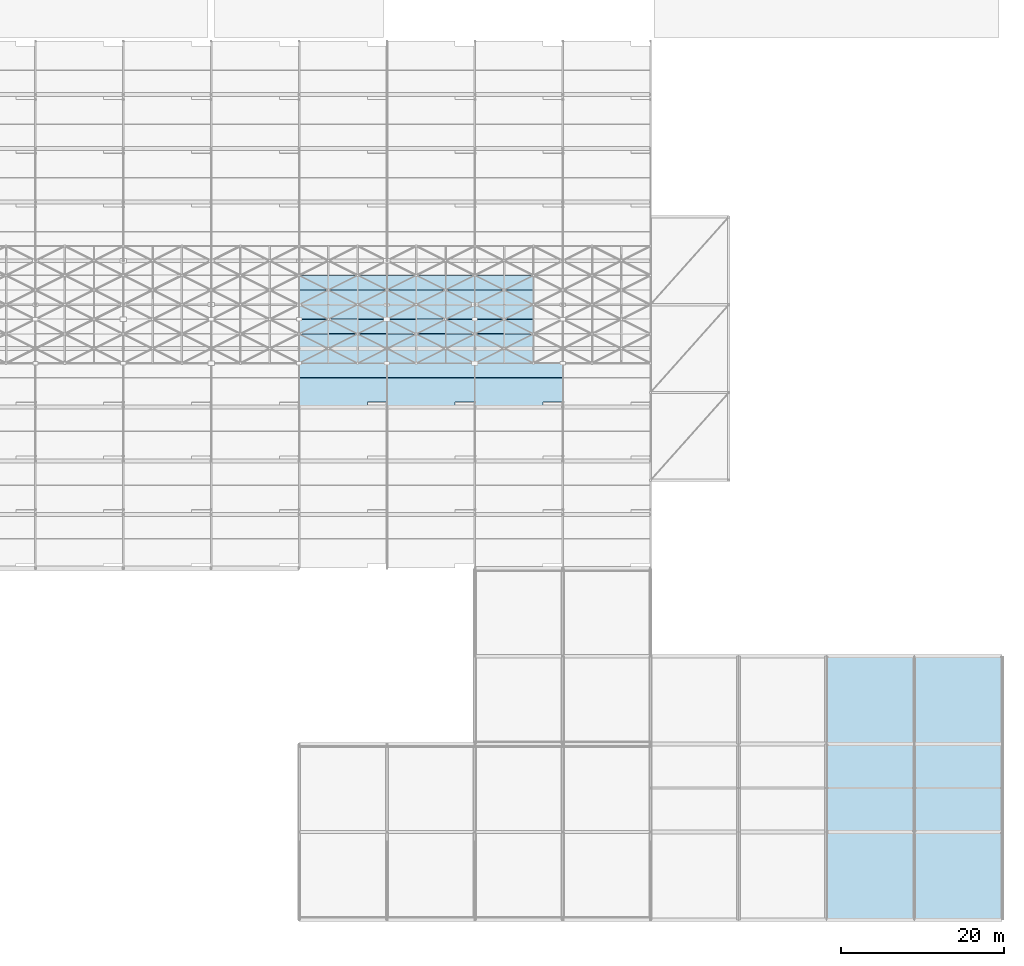
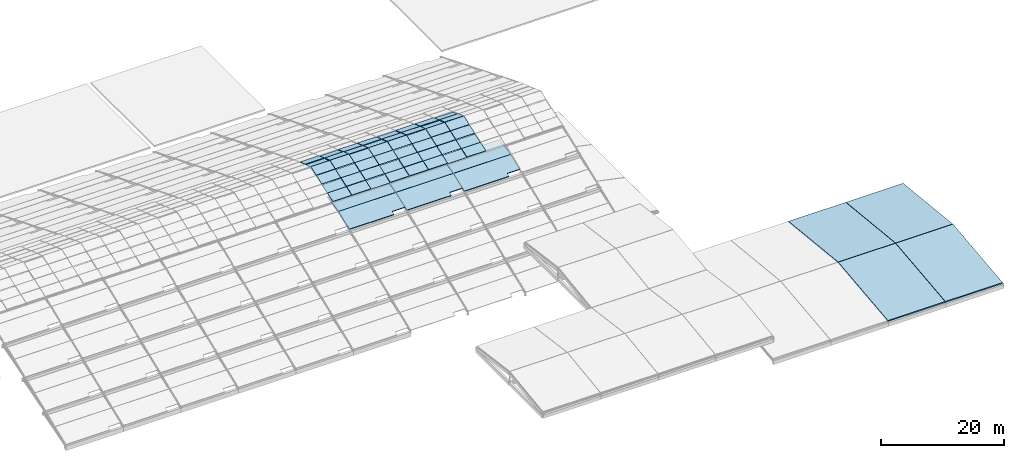
# One storey, part 102 of 112: 48 plates, 10 slabs, 3 elements without a shape of their own.
"""IFC4 building model written with IfcOpenShell, lengths in metres."""

from ifc_helpers import new_model, si_unit, direction, frame, origin, place, context, subcontext, project, spatial, polyline, outline, extrude, material, layer, layer_set, type_object, element, aggregate, save


model = new_model("IFC4")

# Units and contexts
model_context = context("Model", 3, precision=1e-05, world=origin(), true_north=direction((0.0, 1.0)))
body_context = subcontext(model_context, "Body", "Model", "MODEL_VIEW")
ifc_project = project(units=[si_unit("LENGTHUNIT", "METRE"), si_unit("AREAUNIT", "SQUARE_METRE"), si_unit("VOLUMEUNIT", "CUBIC_METRE"), si_unit("PLANEANGLEUNIT", "RADIAN"), si_unit("MASSUNIT", "GRAM", prefix="KILO")], contexts=[model_context])

# Site, building, storey
site_placement = place(None, origin())
site = spatial("IfcSite", under=ifc_project, at=site_placement, CompositionType="ELEMENT")
building_placement = place(site_placement, origin())
building = spatial("IfcBuilding", under=site, at=building_placement, Name="Zwinboog Wholesale Market", CompositionType="ELEMENT")
storey_placement = place(building_placement, frame((0.0, 0.0, 19.080078125)))
storey = spatial("IfcBuildingStorey", under=building, at=storey_placement, Name="Roof", CompositionType="ELEMENT", Elevation=19.080078125)

# Roof, slabs
ifc_material_1 = material(Name="Concrete C50/60", Category="concrete")
roof_type = type_object("IfcRoofType", Name="RFT-SHELL-BARREL", PredefinedType="BARREL_ROOF", material=ifc_material_1)
roof_1_placement = place(storey_placement, origin())
roof_1 = element("IfcRoof", 1, at=roof_1_placement, inside=storey, type_object=roof_type, Name="RF-SH (ROOF-BARREL-02)", PredefinedType="BARREL_ROOF")
ifc_layer_1 = layer(ifc_material_1, 0.201904296875)
ifc_layer_set_1 = layer_set([ifc_layer_1], Name="Concrete C50/60")
slab_type_1 = type_object("IfcSlabType", Name="SLT-SH-202", PredefinedType="ROOF", material=ifc_layer_set_1)
slab_1_placement = place(storey_placement, frame((129.610107421875, 63.010009765625, -1.380126953125), z_axis=(4.69326e-06, -0.351688567707, 0.936117060694), x_axis=(0.999999999989, 1.650566e-06, -4.393441e-06)))
slab_1 = element("IfcSlab", 2, at=slab_1_placement, type_object=slab_type_1, Name="SH-202 (SLB-SH-ST4-B07-1)", PredefinedType="ROOF", context=body_context, shape_type="SweptSolid", body=[
    extrude(outline(polyline([(0.0, 0.0), (8.37988281240771, 0.0), (8.379882812882595, 0.6410117878925938), (10.779785156606165, 0.6410117878925938), (10.779785156237002, 3.824383031661528), (1.0572380666834866e-10, 3.824383031661528), (0.0, 0.0)])), origin(), (0.0, 0.0, -1.0), 0.201904296875),
])
slab_2_placement = place(storey_placement, frame((129.610107421875, 66.610107421875, -0.03515625), z_axis=(0.0, -0.219437781128, 0.975626496265), x_axis=(1.0, 0.0, 0.0)))
slab_2 = element("IfcSlab", 3, at=slab_2_placement, type_object=slab_type_1, Name="SH-202 (SLB-SH-ST4-B07-2)", PredefinedType="ROOF", context=body_context, shape_type="SweptSolid", body=[
    extrude(outline(polyline([(0.0, 0.0), (10.77978515625, 0.0), (10.77978515625, 3.669266874240375), (0.0, 3.669266874240375), (0.0, 0.0)])), origin(), (0.0, 0.0, -1.0), 0.201904296875),
])
aggregate(roof_1, [slab_1, slab_2])

roof_2_placement = place(storey_placement, origin())
roof_2 = element("IfcRoof", 4, at=roof_2_placement, inside=storey, type_object=roof_type, Name="RF-SH (ROOF-BARREL-03)", PredefinedType="BARREL_ROOF")
slab_3_placement = place(storey_placement, frame((140.409912109375, 63.010009765625, -1.380126953125), z_axis=(4.69315e-06, -0.351688567577, 0.936117060743), x_axis=(0.999999999989, 1.650527e-06, -4.393337e-06)))
slab_3 = element("IfcSlab", 5, at=slab_3_placement, type_object=slab_type_1, Name="SH-202 (SLB-SH-ST4-B08-1)", PredefinedType="ROOF", context=body_context, shape_type="SweptSolid", body=[
    extrude(outline(polyline([(0.0, 0.0), (8.380126953032711, -1.774560907867667e-21), (8.380126953507585, 0.6410117878926078), (10.780029297231154, 0.6410117878926078), (10.780029296861999, 3.824383031661531), (1.0571883235301646e-10, 3.824383031661531), (0.0, 0.0)])), origin(), (0.0, 0.0, -1.0), 0.201904296875),
])
slab_4_placement = place(storey_placement, frame((140.409912109375, 66.610107421875, -0.03515625), z_axis=(0.0, -0.219437781128, 0.975626496265), x_axis=(1.0, 0.0, 0.0)))
slab_4 = element("IfcSlab", 6, at=slab_4_placement, type_object=slab_type_1, Name="SH-202 (SLB-SH-ST4-B08-2)", PredefinedType="ROOF", context=body_context, shape_type="SweptSolid", body=[
    extrude(outline(polyline([(0.0, 0.0), (10.780029296875, 0.0), (10.780029296875, 3.669266874240375), (0.0, 3.669266874240375), (0.0, 0.0)])), origin(), (0.0, 0.0, -1.0), 0.201904296875),
])
aggregate(roof_2, [slab_3, slab_4])

roof_3_placement = place(storey_placement, origin())
roof_3 = element("IfcRoof", 7, at=roof_3_placement, inside=storey, type_object=roof_type, Name="RF-SH (ROOF-BARREL-04)", PredefinedType="BARREL_ROOF")
slab_5_placement = place(storey_placement, frame((151.2099609375, 63.010009765625, -1.380126953125), z_axis=(4.69315e-06, -0.351688567577, 0.936117060743), x_axis=(0.999999999989, 1.650527e-06, -4.393337e-06)))
slab_5 = element("IfcSlab", 8, at=slab_5_placement, type_object=slab_type_1, Name="SH-202 (SLB-SH-ST4-B09-1)", PredefinedType="ROOF", context=body_context, shape_type="SweptSolid", body=[
    extrude(outline(polyline([(0.0, 0.0), (8.380126953032711, -1.774560907867667e-21), (8.380126953507585, 0.6410117878926078), (10.780029297231154, 0.6410117878926078), (10.780029296861999, 3.824383031661531), (1.0571883235301646e-10, 3.824383031661531), (0.0, 0.0)])), origin(), (0.0, 0.0, -1.0), 0.201904296875),
])
slab_6_placement = place(storey_placement, frame((151.2099609375, 66.610107421875, -0.03515625), z_axis=(0.0, -0.219437781128, 0.975626496265), x_axis=(1.0, 0.0, 0.0)))
slab_6 = element("IfcSlab", 9, at=slab_6_placement, type_object=slab_type_1, Name="SH-202 (SLB-SH-ST4-B09-2)", PredefinedType="ROOF", context=body_context, shape_type="SweptSolid", body=[
    extrude(outline(polyline([(0.0, 0.0), (10.780029296875, 0.0), (10.780029296875, 3.669266874240375), (0.0, 3.669266874240375), (0.0, 0.0)])), origin(), (0.0, 0.0, -1.0), 0.201904296875),
])
aggregate(roof_3, [slab_5, slab_6])

# Slabs
ifc_material_2 = material(Name="Precast concrete C45/55", Category="concrete")
ifc_layer_2 = layer(ifc_material_2, 0.243896484375)
ifc_layer_set_2 = layer_set([ifc_layer_2], Name="Precast concrete C45/55")
slab_type_2 = type_object("IfcSlabType", Name="SLT-RF-244", PredefinedType="ROOF", material=ifc_layer_set_2)
slab_7_placement = place(storey_placement, frame((194.419921875, 0.02001953125, -4.030029296875), z_axis=(0.0, -0.110705086611, 0.993853300945), x_axis=(1.0, 0.0, 0.0)))
element("IfcSlab", 10, at=slab_7_placement, inside=storey, type_object=slab_type_2, Name="SR-244 (SLB-AUC-RF-05)", PredefinedType="ROOF", context=body_context, shape_type="SweptSolid", body=[
    extrude(outline(polyline([(0.0, 0.0), (10.760009765625, 0.0), (10.760009765625, 16.259856554298352), (0.0, 16.259856554298352), (0.0, 0.0)])), origin(), (0.0, 0.0, -1.0), 0.243896484375),
])
slab_8_placement = place(storey_placement, frame((194.419921875, 16.219970703125, -2.22998046875), z_axis=(0.0, 0.104633164701, 0.994510885232), x_axis=(1.0, 0.0, 0.0)))
element("IfcSlab", 11, at=slab_8_placement, inside=storey, type_object=slab_type_2, Name="SR-244 (SLB-AUC-RF-06)", PredefinedType="ROOF", context=body_context, shape_type="SweptSolid", body=[
    extrude(outline(polyline([(0.0, 0.0), (10.760009765625, 0.0), (10.760009765625, 16.249105313320232), (0.0, 16.249105313320232), (0.0, 0.0)])), origin(), (0.0, 0.0, -1.0), 0.243896484375),
])
slab_9_placement = place(storey_placement, frame((205.219970703125, 0.02001953125, -4.030029296875), z_axis=(0.0, -0.110705086611, 0.993853300945), x_axis=(1.0, 0.0, 0.0)))
element("IfcSlab", 12, at=slab_9_placement, inside=storey, type_object=slab_type_2, Name="SR-244 (SLB-AUC-RF-07)", PredefinedType="ROOF", context=body_context, shape_type="SweptSolid", body=[
    extrude(outline(polyline([(0.0, 0.0), (10.760009765625, 0.0), (10.760009765625, 16.259856554298352), (0.0, 16.259856554298352), (0.0, 0.0)])), origin(), (0.0, 0.0, -1.0), 0.243896484375),
])
slab_10_placement = place(storey_placement, frame((205.219970703125, 16.219970703125, -2.22998046875), z_axis=(0.0, 0.104633164701, 0.994510885232), x_axis=(1.0, 0.0, 0.0)))
element("IfcSlab", 13, at=slab_10_placement, inside=storey, type_object=slab_type_2, Name="SR-244 (SLB-AUC-RF-08)", PredefinedType="ROOF", context=body_context, shape_type="SweptSolid", body=[
    extrude(outline(polyline([(0.0, 0.0), (10.760009765625, 0.0), (10.760009765625, 16.249105313320232), (0.0, 16.249105313320232), (0.0, 0.0)])), origin(), (0.0, 0.0, -1.0), 0.243896484375),
])

# Plates
ifc_material_3 = material(Name="Blue solar control glass", Category="glass")
ifc_layer_3 = layer(ifc_material_3, 0.030029296875)
ifc_layer_set_3 = layer_set([ifc_layer_3], Name="Blue solar control glass")
plate_type_1 = type_object("IfcPlateType", Name="PLT-SKG-01", PredefinedType="SHEET", material=ifc_layer_set_3)
for number, where, z_axis, x_axis, name in (
    (14, (133.219970703125, 77.419921875, 2.6552734375), (0.0, 0.333825357548, 0.942634940291), (1.0, 0.0, 0.0), "SKG-01 (PLT-SKY-0186)"),
    (15, (144.02001953125, 72.02001953125, 2.031982421875), (0.0, -0.333825357548, 0.942634940291), (1.0, 0.0, 0.0), "SKG-01 (PLT-SKY-0211)"),
    (16, (151.219970703125, 68.419921875, 0.757080078125), (0.0, -0.333825357548, 0.942634940291), (1.0, 0.0, 0.0), "SKG-01 (PLT-SKY-0226)"),
):
    element("IfcPlate", number, at=place(storey_placement, frame(where, z_axis=z_axis, x_axis=x_axis)), inside=storey, type_object=plate_type_1, Name=name, PredefinedType="SHEET", context=body_context, shape_type="SweptSolid", body=[
        extrude(outline(polyline([(0.0, 0.0), (3.56005859375, 0.0), (3.56005859375, 1.8671170464794682), (0.0, 1.8671170464794682), (0.0, 0.0)])), origin(), (0.0, 0.0, -1.0), 0.030029296875),
    ])
plate_1_placement = place(storey_placement, frame((154.820068359375, 77.419921875, 2.6552734375), z_axis=(0.0, 0.333825357548, 0.942634940291), x_axis=(1.0, 0.0, 0.0)))
element("IfcPlate", 17, at=plate_1_placement, inside=storey, type_object=plate_type_1, Name="SKG-01 (PLT-SKY-0242)", PredefinedType="SHEET", context=body_context, shape_type="SweptSolid", body=[
    extrude(outline(polyline([(0.0, 0.0), (3.559814453125, 0.0), (3.559814453125, 1.8671170464794682), (0.0, 1.8671170464794682), (0.0, 0.0)])), origin(), (0.0, 0.0, -1.0), 0.030029296875),
])
ifc_layer_4 = layer(ifc_material_3, 0.033935546875)
ifc_layer_set_4 = layer_set([ifc_layer_4], Name="Blue solar control glass")
plate_type_2 = type_object("IfcPlateType", Name="PLT-SKG-02", PredefinedType="SHEET", material=ifc_layer_set_4)
plate_2_placement = place(storey_placement, frame((129.6201171875, 70.219970703125, 1.3984375), z_axis=(0.0, -0.333825357548, 0.942634940291), x_axis=(1.0, 0.0, 0.0)))
element("IfcPlate", 18, at=plate_2_placement, inside=storey, type_object=plate_type_2, Name="SKG-02 (PLT-SKY-0171)", PredefinedType="SHEET", context=body_context, shape_type="SweptSolid", body=[
    extrude(outline(polyline([(0.0, 0.0), (3.559814453125, 0.0), (3.559814453125, 1.8671170464794682), (0.0, 1.8671170464794682), (0.0, 0.0)])), origin(), (0.0, 0.0, -1.0), 0.033935546875),
])
plate_3_placement = place(storey_placement, frame((140.419921875, 75.6201171875, 3.296875), z_axis=(0.0, 0.333866508657, 0.942620366), x_axis=(1.0, 0.0, 0.0)))
element("IfcPlate", 19, at=plate_3_placement, inside=storey, type_object=plate_type_2, Name="SKG-02 (PLT-SKY-0204)", PredefinedType="SHEET", context=body_context, shape_type="SweptSolid", body=[
    extrude(outline(polyline([(0.0, 0.0), (3.56005859375, 0.0), (3.56005859375, 1.866886912774977), (0.0, 1.866886912774977), (0.0, 0.0)])), origin(), (0.0, 0.0, -1.0), 0.033935546875),
])
ifc_layer_5 = layer(ifc_material_3, 0.0380859375)
ifc_layer_set_5 = layer_set([ifc_layer_5], Name="Blue solar control glass")
plate_type_3 = type_object("IfcPlateType", Name="PLT-SKG-03", PredefinedType="SHEET", material=ifc_layer_set_5)
for number, where, z_axis, x_axis, name in (
    (20, (136.820068359375, 68.419921875, 0.76513671875), (0.0, -0.333825357548, 0.942634940291), (1.0, 0.0, 0.0), "SKG-03 (PLT-SKY-0189)"),
    (21, (147.6201171875, 73.820068359375, 2.677490234375), (0.0, -0.333825357548, 0.942634940291), (1.0, 0.0, 0.0), "SKG-03 (PLT-SKY-0220)"),
    (22, (154.820068359375, 70.219970703125, 1.402587890625), (0.0, -0.333825357548, 0.942634940291), (1.0, 0.0, 0.0), "SKG-03 (PLT-SKY-0238)"),
):
    element("IfcPlate", number, at=place(storey_placement, frame(where, z_axis=z_axis, x_axis=x_axis)), inside=storey, type_object=plate_type_3, Name=name, PredefinedType="SHEET", context=body_context, shape_type="SweptSolid", body=[
        extrude(outline(polyline([(0.0, 0.0), (3.559814453125, 0.0), (3.559814453125, 1.8671170464794682), (0.0, 1.8671170464794682), (0.0, 0.0)])), origin(), (0.0, 0.0, -1.0), 0.0380859375),
    ])
ifc_layer_6 = layer(ifc_material_3, 0.0419921875)
ifc_layer_set_6 = layer_set([ifc_layer_6], Name="Blue solar control glass")
plate_type_4 = type_object("IfcPlateType", Name="PLT-SKG-04", PredefinedType="SHEET", material=ifc_layer_set_6)
for number, where, z_axis, x_axis, name in (
    (23, (133.219970703125, 72.02001953125, 2.0439453125), (0.0, -0.333825357548, 0.942634940291), (1.0, 0.0, 0.0), "SKG-04 (PLT-SKY-0183)"),
    (24, (144.02001953125, 77.419921875, 2.667236328125), (0.0, 0.333825357548, 0.942634940291), (1.0, 0.0, 0.0), "SKG-04 (PLT-SKY-0214)"),
):
    element("IfcPlate", number, at=place(storey_placement, frame(where, z_axis=z_axis, x_axis=x_axis)), inside=storey, type_object=plate_type_4, Name=name, PredefinedType="SHEET", context=body_context, shape_type="SweptSolid", body=[
        extrude(outline(polyline([(0.0, 0.0), (3.56005859375, 0.0), (3.56005859375, 1.8671170464794682), (0.0, 1.8671170464794682), (0.0, 0.0)])), origin(), (0.0, 0.0, -1.0), 0.0419921875),
    ])
ifc_layer_7 = layer(ifc_material_3, 0.0458984375)
ifc_layer_set_7 = layer_set([ifc_layer_7], Name="Blue solar control glass")
plate_type_5 = type_object("IfcPlateType", Name="PLT-SKG-05", PredefinedType="SHEET", material=ifc_layer_set_7)
plate_4_placement = place(storey_placement, frame((129.6201171875, 75.6201171875, 3.308837890625), z_axis=(0.0, 0.333866508657, 0.942620366), x_axis=(1.0, 0.0, 0.0)))
element("IfcPlate", 25, at=plate_4_placement, inside=storey, type_object=plate_type_5, Name="SKG-05 (PLT-SKY-0176)", PredefinedType="SHEET", context=body_context, shape_type="SweptSolid", body=[
    extrude(outline(polyline([(0.0, 0.0), (3.559814453125, 0.0), (3.559814453125, 1.866886912774977), (0.0, 1.866886912774977), (0.0, 0.0)])), origin(), (0.0, 0.0, -1.0), 0.0458984375),
])
plate_5_placement = place(storey_placement, frame((140.419921875, 70.219970703125, 1.410400390625), z_axis=(0.0, -0.333941536415, 0.942593788573), x_axis=(1.0, 0.0, 0.0)))
element("IfcPlate", 26, at=plate_5_placement, inside=storey, type_object=plate_type_5, Name="SKG-05 (PLT-SKY-0199)", PredefinedType="SHEET", context=body_context, shape_type="SweptSolid", body=[
    extrude(outline(polyline([(0.0, 0.0), (3.56005859375, 0.0), (3.56005859375, 1.8671985609932005), (0.0, 1.8671985609932005), (0.0, 0.0)])), origin(), (0.0, 0.0, -1.0), 0.0458984375),
])
plate_6_placement = place(storey_placement, frame((151.219970703125, 75.6201171875, 3.308837890625), z_axis=(0.0, 0.333866508657, 0.942620366), x_axis=(1.0, 0.0, 0.0)))
element("IfcPlate", 27, at=plate_6_placement, inside=storey, type_object=plate_type_5, Name="SKG-05 (PLT-SKY-0232)", PredefinedType="SHEET", context=body_context, shape_type="SweptSolid", body=[
    extrude(outline(polyline([(0.0, 0.0), (3.56005859375, 0.0), (3.56005859375, 1.866886912774977), (0.0, 1.866886912774977), (0.0, 0.0)])), origin(), (0.0, 0.0, -1.0), 0.0458984375),
])
ifc_layer_8 = layer(ifc_material_3, 0.050048828125)
ifc_layer_set_8 = layer_set([ifc_layer_8], Name="Blue solar control glass")
plate_type_6 = type_object("IfcPlateType", Name="PLT-SKG-06", PredefinedType="SHEET", material=ifc_layer_set_8)
plate_7_placement = place(storey_placement, frame((136.820068359375, 73.820068359375, 2.689453125), z_axis=(0.0, -0.333825357548, 0.942634940291), x_axis=(1.0, 0.0, 0.0)))
element("IfcPlate", 28, at=plate_7_placement, inside=storey, type_object=plate_type_6, Name="SKG-06 (PLT-SKY-0192)", PredefinedType="SHEET", context=body_context, shape_type="SweptSolid", body=[
    extrude(outline(polyline([(0.0, 0.0), (3.559814453125, 0.0), (3.559814453125, 1.8671170464794682), (0.0, 1.8671170464794682), (0.0, 0.0)])), origin(), (0.0, 0.0, -1.0), 0.050048828125),
])
ifc_material_4 = material(Name="White insulated aluminium roof panel", Category="aluminium")
ifc_layer_9 = layer(ifc_material_4, 0.110107421875)
ifc_layer_set_9 = layer_set([ifc_layer_9], Name="White insulated aluminium roof panel")
plate_type_7 = type_object("IfcPlateType", Name="PLT-SKW-01", PredefinedType="USERDEFINED", material=ifc_layer_set_9)
plate_8_placement = place(storey_placement, frame((129.6201171875, 68.419921875, 0.8369140625), z_axis=(0.0, -0.333825357548, 0.942634940291), x_axis=(1.0, 0.0, 0.0)))
element("IfcPlate", 29, at=plate_8_placement, inside=storey, type_object=plate_type_7, Name="SKW-01 (PLT-SKY-0170)", ObjectType="INSULATED_ROOF_PANEL", PredefinedType="USERDEFINED", context=body_context, shape_type="SweptSolid", body=[
    extrude(outline(polyline([(0.0, 0.0), (3.559814453125, 0.0), (3.559814453125, 1.8671170464794682), (0.0, 1.8671170464794682), (0.0, 0.0)])), origin(), (0.0, 0.0, -1.0), 0.110107421875),
])
plate_9_placement = place(storey_placement, frame((136.820068359375, 75.6201171875, 3.372802734375), z_axis=(0.0, 0.333866508657, 0.942620366), x_axis=(1.0, 0.0, 0.0)))
element("IfcPlate", 30, at=plate_9_placement, inside=storey, type_object=plate_type_7, Name="SKW-01 (PLT-SKY-0193)", ObjectType="INSULATED_ROOF_PANEL", PredefinedType="USERDEFINED", context=body_context, shape_type="SweptSolid", body=[
    extrude(outline(polyline([(0.0, 0.0), (3.559814453125, 0.0), (3.559814453125, 1.866886912774977), (0.0, 1.866886912774977), (0.0, 0.0)])), origin(), (0.0, 0.0, -1.0), 0.110107421875),
])
plate_10_placement = place(storey_placement, frame((140.419921875, 73.820068359375, 2.74951171875), z_axis=(0.0, -0.333825357548, 0.942634940291), x_axis=(1.0, 0.0, 0.0)))
element("IfcPlate", 31, at=plate_10_placement, inside=storey, type_object=plate_type_7, Name="SKW-01 (PLT-SKY-0202)", ObjectType="INSULATED_ROOF_PANEL", PredefinedType="USERDEFINED", context=body_context, shape_type="SweptSolid", body=[
    extrude(outline(polyline([(0.0, 0.0), (3.56005859375, 0.0), (3.56005859375, 1.8671170464794682), (0.0, 1.8671170464794682), (0.0, 0.0)])), origin(), (0.0, 0.0, -1.0), 0.110107421875),
])
plate_11_placement = place(storey_placement, frame((147.6201171875, 70.219970703125, 1.474609375), z_axis=(0.0, -0.333825357548, 0.942634940291), x_axis=(1.0, 0.0, 0.0)))
element("IfcPlate", 32, at=plate_11_placement, inside=storey, type_object=plate_type_7, Name="SKW-01 (PLT-SKY-0218)", ObjectType="INSULATED_ROOF_PANEL", PredefinedType="USERDEFINED", context=body_context, shape_type="SweptSolid", body=[
    extrude(outline(polyline([(0.0, 0.0), (3.559814453125, 0.0), (3.559814453125, 1.8671170464794682), (0.0, 1.8671170464794682), (0.0, 0.0)])), origin(), (0.0, 0.0, -1.0), 0.110107421875),
])
ifc_layer_10 = layer(ifc_material_4, 0.1201171875)
ifc_layer_set_10 = layer_set([ifc_layer_10], Name="White insulated aluminium roof panel")
plate_type_8 = type_object("IfcPlateType", Name="PLT-SKW-02", PredefinedType="USERDEFINED", material=ifc_layer_set_10)
plate_12_placement = place(storey_placement, frame((133.219970703125, 68.419921875, 0.846923828125), z_axis=(0.0, -0.333825357548, 0.942634940291), x_axis=(1.0, 0.0, 0.0)))
element("IfcPlate", 33, at=plate_12_placement, inside=storey, type_object=plate_type_8, Name="SKW-02 (PLT-SKY-0181)", ObjectType="INSULATED_ROOF_PANEL", PredefinedType="USERDEFINED", context=body_context, shape_type="SweptSolid", body=[
    extrude(outline(polyline([(0.0, 0.0), (3.56005859375, 0.0), (3.56005859375, 1.8671170464794682), (0.0, 1.8671170464794682), (0.0, 0.0)])), origin(), (0.0, 0.0, -1.0), 0.1201171875),
])
plate_13_placement = place(storey_placement, frame((136.820068359375, 77.419921875, 2.745361328125), z_axis=(0.0, 0.333825357548, 0.942634940291), x_axis=(1.0, 0.0, 0.0)))
element("IfcPlate", 34, at=plate_13_placement, inside=storey, type_object=plate_type_8, Name="SKW-02 (PLT-SKY-0194)", ObjectType="INSULATED_ROOF_PANEL", PredefinedType="USERDEFINED", context=body_context, shape_type="SweptSolid", body=[
    extrude(outline(polyline([(0.0, 0.0), (3.559814453125, 0.0), (3.559814453125, 1.8671170464794682), (0.0, 1.8671170464794682), (0.0, 0.0)])), origin(), (0.0, 0.0, -1.0), 0.1201171875),
])
plate_14_placement = place(storey_placement, frame((144.02001953125, 73.820068359375, 2.759521484375), z_axis=(0.0, -0.333825357548, 0.942634940291), x_axis=(1.0, 0.0, 0.0)))
element("IfcPlate", 35, at=plate_14_placement, inside=storey, type_object=plate_type_8, Name="SKW-02 (PLT-SKY-0212)", ObjectType="INSULATED_ROOF_PANEL", PredefinedType="USERDEFINED", context=body_context, shape_type="SweptSolid", body=[
    extrude(outline(polyline([(0.0, 0.0), (3.56005859375, 0.0), (3.56005859375, 1.8671170464794682), (0.0, 1.8671170464794682), (0.0, 0.0)])), origin(), (0.0, 0.0, -1.0), 0.1201171875),
])
plate_15_placement = place(storey_placement, frame((147.6201171875, 72.02001953125, 2.1220703125), z_axis=(0.0, -0.333825357548, 0.942634940291), x_axis=(1.0, 0.0, 0.0)))
element("IfcPlate", 36, at=plate_15_placement, inside=storey, type_object=plate_type_8, Name="SKW-02 (PLT-SKY-0219)", ObjectType="INSULATED_ROOF_PANEL", PredefinedType="USERDEFINED", context=body_context, shape_type="SweptSolid", body=[
    extrude(outline(polyline([(0.0, 0.0), (3.559814453125, 0.0), (3.559814453125, 1.8671170464794682), (0.0, 1.8671170464794682), (0.0, 0.0)])), origin(), (0.0, 0.0, -1.0), 0.1201171875),
])
plate_16_placement = place(storey_placement, frame((151.219970703125, 70.219970703125, 1.484619140625), z_axis=(0.0, -0.333825357548, 0.942634940291), x_axis=(1.0, 0.0, 0.0)))
element("IfcPlate", 37, at=plate_16_placement, inside=storey, type_object=plate_type_8, Name="SKW-02 (PLT-SKY-0227)", ObjectType="INSULATED_ROOF_PANEL", PredefinedType="USERDEFINED", context=body_context, shape_type="SweptSolid", body=[
    extrude(outline(polyline([(0.0, 0.0), (3.56005859375, 0.0), (3.56005859375, 1.8671170464794682), (0.0, 1.8671170464794682), (0.0, 0.0)])), origin(), (0.0, 0.0, -1.0), 0.1201171875),
])
plate_17_placement = place(storey_placement, frame((154.820068359375, 68.419921875, 0.846923828125), z_axis=(0.0, -0.333825357548, 0.942634940291), x_axis=(1.0, 0.0, 0.0)))
element("IfcPlate", 38, at=plate_17_placement, inside=storey, type_object=plate_type_8, Name="SKW-02 (PLT-SKY-0237)", ObjectType="INSULATED_ROOF_PANEL", PredefinedType="USERDEFINED", context=body_context, shape_type="SweptSolid", body=[
    extrude(outline(polyline([(0.0, 0.0), (3.559814453125, 0.0), (3.559814453125, 1.8671170464794682), (0.0, 1.8671170464794682), (0.0, 0.0)])), origin(), (0.0, 0.0, -1.0), 0.1201171875),
])
ifc_layer_11 = layer(ifc_material_4, 0.1298828125)
ifc_layer_set_11 = layer_set([ifc_layer_11], Name="White insulated aluminium roof panel")
plate_type_9 = type_object("IfcPlateType", Name="PLT-SKW-03", PredefinedType="USERDEFINED", material=ifc_layer_set_11)
plate_18_placement = place(storey_placement, frame((129.6201171875, 72.02001953125, 2.132080078125), z_axis=(0.0, -0.333825357548, 0.942634940291), x_axis=(1.0, 0.0, 0.0)))
element("IfcPlate", 39, at=plate_18_placement, inside=storey, type_object=plate_type_9, Name="SKW-03 (PLT-SKY-0172)", ObjectType="INSULATED_ROOF_PANEL", PredefinedType="USERDEFINED", context=body_context, shape_type="SweptSolid", body=[
    extrude(outline(polyline([(0.0, 0.0), (3.559814453125, 0.0), (3.559814453125, 1.8671170464794682), (0.0, 1.8671170464794682), (0.0, 0.0)])), origin(), (0.0, 0.0, -1.0), 0.1298828125),
])
for number, where, z_axis, x_axis, name in (
    (40, (133.219970703125, 70.219970703125, 1.49462890625), (0.0, -0.333825357548, 0.942634940291), (1.0, 0.0, 0.0), "SKW-03 (PLT-SKY-0182)"),
    (41, (140.419921875, 77.419921875, 2.75537109375), (0.0, 0.333825357548, 0.942634940291), (1.0, 0.0, 0.0), "SKW-03 (PLT-SKY-0205)"),
):
    element("IfcPlate", number, at=place(storey_placement, frame(where, z_axis=z_axis, x_axis=x_axis)), inside=storey, type_object=plate_type_9, Name=name, ObjectType="INSULATED_ROOF_PANEL", PredefinedType="USERDEFINED", context=body_context, shape_type="SweptSolid", body=[
        extrude(outline(polyline([(0.0, 0.0), (3.56005859375, 0.0), (3.56005859375, 1.8671170464794682), (0.0, 1.8671170464794682), (0.0, 0.0)])), origin(), (0.0, 0.0, -1.0), 0.1298828125),
    ])
plate_19_placement = place(storey_placement, frame((144.02001953125, 75.6201171875, 3.392822265625), z_axis=(0.0, 0.333866508657, 0.942620366), x_axis=(1.0, 0.0, 0.0)))
element("IfcPlate", 42, at=plate_19_placement, inside=storey, type_object=plate_type_9, Name="SKW-03 (PLT-SKY-0213)", ObjectType="INSULATED_ROOF_PANEL", PredefinedType="USERDEFINED", context=body_context, shape_type="SweptSolid", body=[
    extrude(outline(polyline([(0.0, 0.0), (3.56005859375, 0.0), (3.56005859375, 1.866886912774977), (0.0, 1.866886912774977), (0.0, 0.0)])), origin(), (0.0, 0.0, -1.0), 0.1298828125),
])
plate_20_placement = place(storey_placement, frame((151.219970703125, 72.02001953125, 2.132080078125), z_axis=(0.0, -0.333825357548, 0.942634940291), x_axis=(1.0, 0.0, 0.0)))
element("IfcPlate", 43, at=plate_20_placement, inside=storey, type_object=plate_type_9, Name="SKW-03 (PLT-SKY-0228)", ObjectType="INSULATED_ROOF_PANEL", PredefinedType="USERDEFINED", context=body_context, shape_type="SweptSolid", body=[
    extrude(outline(polyline([(0.0, 0.0), (3.56005859375, 0.0), (3.56005859375, 1.8671170464794682), (0.0, 1.8671170464794682), (0.0, 0.0)])), origin(), (0.0, 0.0, -1.0), 0.1298828125),
])
ifc_layer_12 = layer(ifc_material_4, 0.139892578125)
ifc_layer_set_12 = layer_set([ifc_layer_12], Name="White insulated aluminium roof panel")
plate_type_10 = type_object("IfcPlateType", Name="PLT-SKW-04", PredefinedType="USERDEFINED", material=ifc_layer_set_12)
for number, where, z_axis, x_axis, name in (
    (44, (129.6201171875, 73.820068359375, 2.779541015625), (0.0, -0.333825357548, 0.942634940291), (1.0, 0.0, 0.0), "SKW-04 (PLT-SKY-0174)"),
    (45, (136.820068359375, 70.219970703125, 1.504638671875), (0.0, -0.333825357548, 0.942634940291), (1.0, 0.0, 0.0), "SKW-04 (PLT-SKY-0190)"),
):
    element("IfcPlate", number, at=place(storey_placement, frame(where, z_axis=z_axis, x_axis=x_axis)), inside=storey, type_object=plate_type_10, Name=name, ObjectType="INSULATED_ROOF_PANEL", PredefinedType="USERDEFINED", context=body_context, shape_type="SweptSolid", body=[
        extrude(outline(polyline([(0.0, 0.0), (3.559814453125, 0.0), (3.559814453125, 1.8671170464794682), (0.0, 1.8671170464794682), (0.0, 0.0)])), origin(), (0.0, 0.0, -1.0), 0.139892578125),
    ])
plate_21_placement = place(storey_placement, frame((140.419921875, 68.419921875, 0.866943359375), z_axis=(0.0, -0.333825357548, 0.942634940291), x_axis=(1.0, 0.0, 0.0)))
element("IfcPlate", 46, at=plate_21_placement, inside=storey, type_object=plate_type_10, Name="SKW-04 (PLT-SKY-0198)", ObjectType="INSULATED_ROOF_PANEL", PredefinedType="USERDEFINED", context=body_context, shape_type="SweptSolid", body=[
    extrude(outline(polyline([(0.0, 0.0), (3.56005859375, 0.0), (3.56005859375, 1.8671170464794682), (0.0, 1.8671170464794682), (0.0, 0.0)])), origin(), (0.0, 0.0, -1.0), 0.139892578125),
])
plate_22_placement = place(storey_placement, frame((147.6201171875, 75.6201171875, 3.40283203125), z_axis=(0.0, 0.333866508657, 0.942620366), x_axis=(1.0, 0.0, 0.0)))
element("IfcPlate", 47, at=plate_22_placement, inside=storey, type_object=plate_type_10, Name="SKW-04 (PLT-SKY-0221)", ObjectType="INSULATED_ROOF_PANEL", PredefinedType="USERDEFINED", context=body_context, shape_type="SweptSolid", body=[
    extrude(outline(polyline([(0.0, 0.0), (3.559814453125, 0.0), (3.559814453125, 1.866886912774977), (0.0, 1.866886912774977), (0.0, 0.0)])), origin(), (0.0, 0.0, -1.0), 0.139892578125),
])
plate_23_placement = place(storey_placement, frame((151.219970703125, 73.820068359375, 2.779541015625), z_axis=(0.0, -0.333825357548, 0.942634940291), x_axis=(1.0, 0.0, 0.0)))
element("IfcPlate", 48, at=plate_23_placement, inside=storey, type_object=plate_type_10, Name="SKW-04 (PLT-SKY-0230)", ObjectType="INSULATED_ROOF_PANEL", PredefinedType="USERDEFINED", context=body_context, shape_type="SweptSolid", body=[
    extrude(outline(polyline([(0.0, 0.0), (3.56005859375, 0.0), (3.56005859375, 1.8671170464794682), (0.0, 1.8671170464794682), (0.0, 0.0)])), origin(), (0.0, 0.0, -1.0), 0.139892578125),
])
plate_24_placement = place(storey_placement, frame((154.820068359375, 72.02001953125, 2.14208984375), z_axis=(0.0, -0.333825357548, 0.942634940291), x_axis=(1.0, 0.0, 0.0)))
element("IfcPlate", 49, at=plate_24_placement, inside=storey, type_object=plate_type_10, Name="SKW-04 (PLT-SKY-0239)", ObjectType="INSULATED_ROOF_PANEL", PredefinedType="USERDEFINED", context=body_context, shape_type="SweptSolid", body=[
    extrude(outline(polyline([(0.0, 0.0), (3.559814453125, 0.0), (3.559814453125, 1.8671170464794682), (0.0, 1.8671170464794682), (0.0, 0.0)])), origin(), (0.0, 0.0, -1.0), 0.139892578125),
])
ifc_layer_13 = layer(ifc_material_4, 0.14990234375)
ifc_layer_set_13 = layer_set([ifc_layer_13], Name="White insulated aluminium roof panel")
plate_type_11 = type_object("IfcPlateType", Name="PLT-SKW-05", PredefinedType="USERDEFINED", material=ifc_layer_set_13)
plate_25_placement = place(storey_placement, frame((133.219970703125, 73.820068359375, 2.78955078125), z_axis=(0.0, -0.333825357548, 0.942634940291), x_axis=(1.0, 0.0, 0.0)))
element("IfcPlate", 50, at=plate_25_placement, inside=storey, type_object=plate_type_11, Name="SKW-05 (PLT-SKY-0184)", ObjectType="INSULATED_ROOF_PANEL", PredefinedType="USERDEFINED", context=body_context, shape_type="SweptSolid", body=[
    extrude(outline(polyline([(0.0, 0.0), (3.56005859375, 0.0), (3.56005859375, 1.8671170464794682), (0.0, 1.8671170464794682), (0.0, 0.0)])), origin(), (0.0, 0.0, -1.0), 0.14990234375),
])
plate_26_placement = place(storey_placement, frame((136.820068359375, 72.02001953125, 2.152099609375), z_axis=(0.0, -0.333825357548, 0.942634940291), x_axis=(1.0, 0.0, 0.0)))
element("IfcPlate", 51, at=plate_26_placement, inside=storey, type_object=plate_type_11, Name="SKW-05 (PLT-SKY-0191)", ObjectType="INSULATED_ROOF_PANEL", PredefinedType="USERDEFINED", context=body_context, shape_type="SweptSolid", body=[
    extrude(outline(polyline([(0.0, 0.0), (3.559814453125, 0.0), (3.559814453125, 1.8671170464794682), (0.0, 1.8671170464794682), (0.0, 0.0)])), origin(), (0.0, 0.0, -1.0), 0.14990234375),
])
plate_27_placement = place(storey_placement, frame((144.02001953125, 68.419921875, 0.876953125), z_axis=(0.0, -0.333825357548, 0.942634940291), x_axis=(1.0, 0.0, 0.0)))
element("IfcPlate", 52, at=plate_27_placement, inside=storey, type_object=plate_type_11, Name="SKW-05 (PLT-SKY-0209)", ObjectType="INSULATED_ROOF_PANEL", PredefinedType="USERDEFINED", context=body_context, shape_type="SweptSolid", body=[
    extrude(outline(polyline([(0.0, 0.0), (3.56005859375, 0.0), (3.56005859375, 1.8671170464794682), (0.0, 1.8671170464794682), (0.0, 0.0)])), origin(), (0.0, 0.0, -1.0), 0.14990234375),
])
for number, where, z_axis, x_axis, name in (
    (53, (147.6201171875, 77.419921875, 2.775390625), (0.0, 0.333825357548, 0.942634940291), (1.0, 0.0, 0.0), "SKW-05 (PLT-SKY-0222)"),
    (54, (154.820068359375, 73.820068359375, 2.78955078125), (0.0, -0.333825357548, 0.942634940291), (1.0, 0.0, 0.0), "SKW-05 (PLT-SKY-0240)"),
):
    element("IfcPlate", number, at=place(storey_placement, frame(where, z_axis=z_axis, x_axis=x_axis)), inside=storey, type_object=plate_type_11, Name=name, ObjectType="INSULATED_ROOF_PANEL", PredefinedType="USERDEFINED", context=body_context, shape_type="SweptSolid", body=[
        extrude(outline(polyline([(0.0, 0.0), (3.559814453125, 0.0), (3.559814453125, 1.8671170464794682), (0.0, 1.8671170464794682), (0.0, 0.0)])), origin(), (0.0, 0.0, -1.0), 0.14990234375),
    ])
ifc_layer_14 = layer(ifc_material_4, 0.162109375)
ifc_layer_set_14 = layer_set([ifc_layer_14], Name="White insulated aluminium roof panel")
plate_type_12 = type_object("IfcPlateType", Name="PLT-SKW-06", PredefinedType="USERDEFINED", material=ifc_layer_set_14)
plate_28_placement = place(storey_placement, frame((129.6201171875, 77.419921875, 2.787353515625), z_axis=(0.0, 0.333825357548, 0.942634940291), x_axis=(1.0, 0.0, 0.0)))
element("IfcPlate", 55, at=plate_28_placement, inside=storey, type_object=plate_type_12, Name="SKW-06 (PLT-SKY-0177)", ObjectType="INSULATED_ROOF_PANEL", PredefinedType="USERDEFINED", context=body_context, shape_type="SweptSolid", body=[
    extrude(outline(polyline([(0.0, 0.0), (3.559814453125, 0.0), (3.559814453125, 1.8671170464794682), (0.0, 1.8671170464794682), (0.0, 0.0)])), origin(), (0.0, 0.0, -1.0), 0.162109375),
])
plate_29_placement = place(storey_placement, frame((133.219970703125, 75.6201171875, 3.4248046875), z_axis=(0.0, 0.333866508657, 0.942620366), x_axis=(1.0, 0.0, 0.0)))
element("IfcPlate", 56, at=plate_29_placement, inside=storey, type_object=plate_type_12, Name="SKW-06 (PLT-SKY-0185)", ObjectType="INSULATED_ROOF_PANEL", PredefinedType="USERDEFINED", context=body_context, shape_type="SweptSolid", body=[
    extrude(outline(polyline([(0.0, 0.0), (3.56005859375, 0.0), (3.56005859375, 1.866886912774977), (0.0, 1.866886912774977), (0.0, 0.0)])), origin(), (0.0, 0.0, -1.0), 0.162109375),
])
for number, where, z_axis, x_axis, name in (
    (57, (140.419921875, 72.02001953125, 2.1640625), (0.0, -0.333825357548, 0.942634940291), (1.0, 0.0, 0.0), "SKW-06 (PLT-SKY-0200)"),
    (58, (144.02001953125, 70.219970703125, 1.526611328125), (0.0, -0.333825357548, 0.942634940291), (1.0, 0.0, 0.0), "SKW-06 (PLT-SKY-0210)"),
):
    element("IfcPlate", number, at=place(storey_placement, frame(where, z_axis=z_axis, x_axis=x_axis)), inside=storey, type_object=plate_type_12, Name=name, ObjectType="INSULATED_ROOF_PANEL", PredefinedType="USERDEFINED", context=body_context, shape_type="SweptSolid", body=[
        extrude(outline(polyline([(0.0, 0.0), (3.56005859375, 0.0), (3.56005859375, 1.8671170464794682), (0.0, 1.8671170464794682), (0.0, 0.0)])), origin(), (0.0, 0.0, -1.0), 0.162109375),
    ])
plate_30_placement = place(storey_placement, frame((147.6201171875, 68.419921875, 0.888916015625), z_axis=(0.0, -0.333825357548, 0.942634940291), x_axis=(1.0, 0.0, 0.0)))
element("IfcPlate", 59, at=plate_30_placement, inside=storey, type_object=plate_type_12, Name="SKW-06 (PLT-SKY-0217)", ObjectType="INSULATED_ROOF_PANEL", PredefinedType="USERDEFINED", context=body_context, shape_type="SweptSolid", body=[
    extrude(outline(polyline([(0.0, 0.0), (3.559814453125, 0.0), (3.559814453125, 1.8671170464794682), (0.0, 1.8671170464794682), (0.0, 0.0)])), origin(), (0.0, 0.0, -1.0), 0.162109375),
])
plate_31_placement = place(storey_placement, frame((151.219970703125, 77.419921875, 2.787353515625), z_axis=(0.0, 0.333825357548, 0.942634940291), x_axis=(1.0, 0.0, 0.0)))
element("IfcPlate", 60, at=plate_31_placement, inside=storey, type_object=plate_type_12, Name="SKW-06 (PLT-SKY-0233)", ObjectType="INSULATED_ROOF_PANEL", PredefinedType="USERDEFINED", context=body_context, shape_type="SweptSolid", body=[
    extrude(outline(polyline([(0.0, 0.0), (3.56005859375, 0.0), (3.56005859375, 1.8671170464794682), (0.0, 1.8671170464794682), (0.0, 0.0)])), origin(), (0.0, 0.0, -1.0), 0.162109375),
])
plate_32_placement = place(storey_placement, frame((154.820068359375, 75.6201171875, 3.4248046875), z_axis=(0.0, 0.333866508657, 0.942620366), x_axis=(1.0, 0.0, 0.0)))
element("IfcPlate", 61, at=plate_32_placement, inside=storey, type_object=plate_type_12, Name="SKW-06 (PLT-SKY-0241)", ObjectType="INSULATED_ROOF_PANEL", PredefinedType="USERDEFINED", context=body_context, shape_type="SweptSolid", body=[
    extrude(outline(polyline([(0.0, 0.0), (3.559814453125, 0.0), (3.559814453125, 1.866886912774977), (0.0, 1.866886912774977), (0.0, 0.0)])), origin(), (0.0, 0.0, -1.0), 0.162109375),
])

save(model, "model.ifc")
